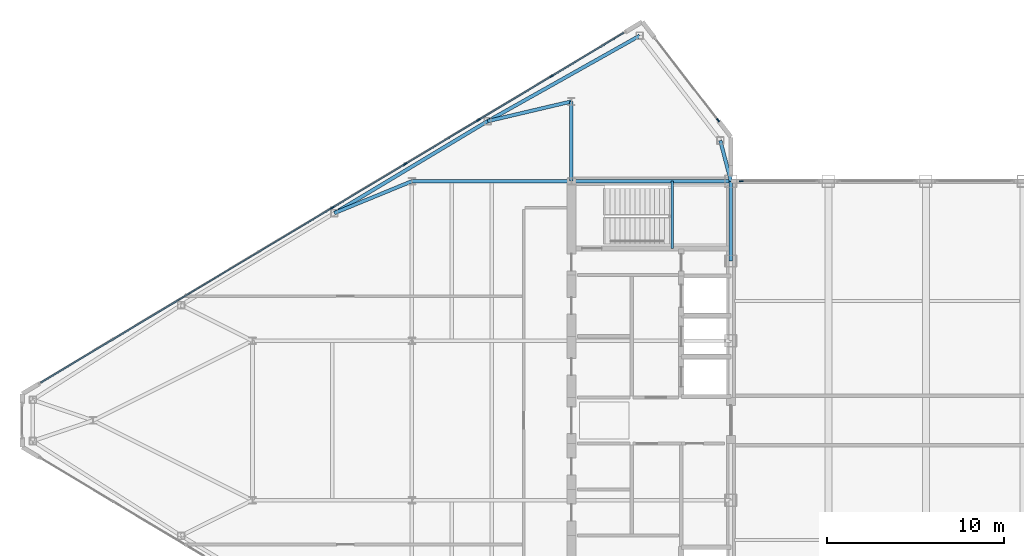
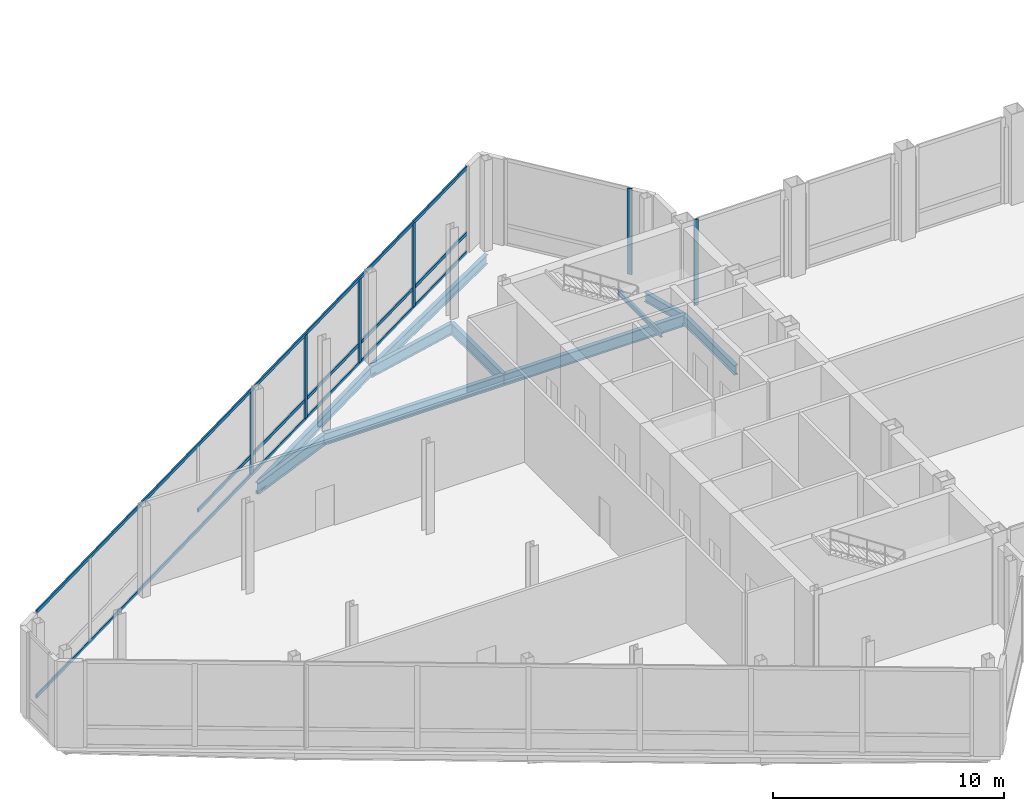
# One storey, part 11 of 29: 13 members, 10 beams, 3 elements without a shape of their own.
"""IFC4 building model written with IfcOpenShell, lengths in metres."""

from ifc_helpers import new_model, si_unit, direction, frame, origin, origin_2d, place, context, subcontext, project, spatial, rectangle, i_section, extrude, source, transform, mapped, material, layer, layer_set, material_profile, profile_set, type_object, type_shapes, element, aggregate, save


model = new_model("IFC4")

# Units and contexts
model_context = context("Model", 3, precision=1e-05, world=origin(), true_north=direction((0.0, 1.0)))
body_context = subcontext(model_context, "Body", "Model", "MODEL_VIEW")
ifc_project = project(units=[si_unit("LENGTHUNIT", "METRE"), si_unit("AREAUNIT", "SQUARE_METRE"), si_unit("VOLUMEUNIT", "CUBIC_METRE"), si_unit("PLANEANGLEUNIT", "RADIAN"), si_unit("MASSUNIT", "GRAM", prefix="KILO")], contexts=[model_context])

# Site, building, storey
site_placement = place(None, origin())
site = spatial("IfcSite", under=ifc_project, at=site_placement, CompositionType="ELEMENT")
building_placement = place(site_placement, origin())
building = spatial("IfcBuilding", under=site, at=building_placement, Name="Seokmaru Belvedere", CompositionType="ELEMENT")
storey_placement = place(building_placement, frame((0.0, 0.0, 269.39990234375)))
storey = spatial("IfcBuildingStorey", under=building, at=storey_placement, Name="L71", CompositionType="ELEMENT", Elevation=269.39990234375)

# Beams
ifc_material_1 = material(Name="Steel SM355 (355 MPa)", Category="steel")
ifc_material_profile_1 = material_profile(ifc_material_1, i_section(OverallWidth=0.199951171875, OverallDepth=0.5, WebThickness=0.010009765625, FlangeThickness=0.01611328125, at=origin_2d()), Name="H-500x200x10x16")
ifc_profile_set_1 = profile_set([ifc_material_profile_1], Name="Steel SM355 (355 MPa)")
beam_type_1 = type_object("IfcBeamType", Name="Perimeter Spandrel Beam H-500", PredefinedType="SPANDREL", material=ifc_profile_set_1)
shared_shape_1 = source(origin(), body_context, "Body", "SweptSolid", [
    extrude(i_section(OverallWidth=0.199951171875, OverallDepth=0.5, WebThickness=0.010009765625, FlangeThickness=0.01611328125, at=origin_2d()), origin(), (0.0, 0.0, 1.0), 4.5),
])
beam_1_placement = place(storey_placement, frame((-27.5, 9.0, -0.510009765625), z_axis=(0.0, 1.0, 0.0), x_axis=(-1.0, 0.0, 0.0)))
element("IfcBeam", 1, at=beam_1_placement, inside=storey, type_object=beam_type_1, Name="L71 W Portal Spine Spandrel 5", PredefinedType="SPANDREL", context=body_context, shape_type="MappedRepresentation", body=[
    mapped(shared_shape_1, transform((0.0, 0.0, 0.0), scale=1.0)),
])
ifc_material_profile_2 = material_profile(ifc_material_1, i_section(OverallWidth=0.199951171875, OverallDepth=0.60009765625, WebThickness=0.010986328125, FlangeThickness=0.01708984375, at=origin_2d()), Name="H-600x200x11x17")
ifc_profile_set_2 = profile_set([ifc_material_profile_2], Name="Steel SM355 (355 MPa)")
beam_type_2 = type_object("IfcBeamType", Name="Primary Floor Girder H-600", PredefinedType="BEAM", material=ifc_profile_set_2)
shared_shape_2 = source(origin(), body_context, "Body", "SweptSolid", [
    extrude(i_section(OverallWidth=0.199951171875, OverallDepth=0.60009765625, WebThickness=0.010986328125, FlangeThickness=0.01708984375, at=origin_2d()), origin(), (0.0, 0.0, 1.0), 9.0),
])
for number, where, z_axis, x_axis, name in (
    (2, (-36.5, 13.5, -0.559814453125), (1.0, 0.0, 0.0), (0.0, 1.0, 0.0), "L71 W Core Tie Girder 4"),
    (3, (-45.5, 13.5, -0.559814453125), (1.0, 0.0, 0.0), (0.0, 1.0, 0.0), "L71 W Wing Primary Girder 4"),
):
    element("IfcBeam", number, at=place(storey_placement, frame(where, z_axis=z_axis, x_axis=x_axis)), inside=storey, type_object=beam_type_2, Name=name, PredefinedType="BEAM", context=body_context, shape_type="MappedRepresentation", body=[
        mapped(shared_shape_2, transform((0.0, 0.0, 0.0), scale=1.0)),
    ])
shared_shape_3 = source(origin(), body_context, "Body", "SweptSolid", [
    extrude(i_section(OverallWidth=0.199951171875, OverallDepth=0.60009765625, WebThickness=0.010986328125, FlangeThickness=0.01708984375, at=origin_2d()), origin(), (0.0, 0.0, 1.0), 4.5),
])
beam_2_placement = place(storey_placement, frame((-36.5, 13.5, -0.559814453125), z_axis=(0.0, 1.0, 0.0), x_axis=(-1.0, 0.0, 0.0)))
element("IfcBeam", 4, at=beam_2_placement, inside=storey, type_object=beam_type_2, Name="L71 W Core Shoulder Girder N", PredefinedType="BEAM", context=body_context, shape_type="MappedRepresentation", body=[
    mapped(shared_shape_3, transform((0.0, 0.0, 0.0), scale=1.0)),
])
shared_shape_4 = source(origin(), body_context, "Body", "SweptSolid", [
    extrude(i_section(OverallWidth=0.199951171875, OverallDepth=0.5, WebThickness=0.010009765625, FlangeThickness=0.01611328125, at=origin_2d()), origin(), (0.0, 0.0, 1.0), 9.842041015625),
])
beam_3_placement = place(storey_placement, frame((-32.649658203125, 21.71044921875, -0.510009765625), z_axis=(-0.871782151818, -0.489893743349, 0.0), x_axis=(0.489893743349, -0.871782151818, 0.0)))
element("IfcBeam", 5, at=beam_3_placement, inside=storey, type_object=beam_type_1, Name="L71 W Faceted Flank Spandrel N-1", PredefinedType="SPANDREL", context=body_context, shape_type="MappedRepresentation", body=[
    mapped(shared_shape_4, transform((0.0, 0.0, 0.0), scale=1.0)),
])
shared_shape_5 = source(origin(), body_context, "Body", "SweptSolid", [
    extrude(i_section(OverallWidth=0.199951171875, OverallDepth=0.5, WebThickness=0.010009765625, FlangeThickness=0.01611328125, at=origin_2d()), origin(), (0.0, 0.0, 1.0), 10.087646484375),
])
beam_4_placement = place(storey_placement, frame((-41.229736328125, 16.888916015625, -0.510009765625), z_axis=(-0.857499332045, -0.514485078056, 0.0), x_axis=(0.514485078056, -0.857499332045, 0.0)))
element("IfcBeam", 6, at=beam_4_placement, inside=storey, type_object=beam_type_1, Name="L71 W Faceted Flank Spandrel N-2", PredefinedType="SPANDREL", context=body_context, shape_type="MappedRepresentation", body=[
    mapped(shared_shape_5, transform((0.0, 0.0, 0.0), scale=1.0)),
])
shared_shape_6 = source(origin(), body_context, "Body", "SweptSolid", [
    extrude(i_section(OverallWidth=0.199951171875, OverallDepth=0.5, WebThickness=0.010009765625, FlangeThickness=0.01611328125, at=origin_2d()), origin(), (0.0, 0.0, 1.0), 2.373046875),
])
type_shapes(beam_type_1, [shared_shape_1, shared_shape_4, shared_shape_5, shared_shape_6])
beam_5_placement = place(storey_placement, frame((-28.10009765625, 15.7958984375, -0.510009765625), z_axis=(0.252882558842, -0.967496982648, 0.0), x_axis=(0.967496982648, 0.252882558842, 0.0)))
element("IfcBeam", 7, at=beam_5_placement, inside=storey, type_object=beam_type_1, Name="L71 W Shoulder Spine Spandrel N", PredefinedType="SPANDREL", context=body_context, shape_type="MappedRepresentation", body=[
    mapped(shared_shape_6, transform((0.0, 0.0, 0.0), scale=1.0)),
])
shared_shape_7 = source(origin(), body_context, "Body", "SweptSolid", [
    extrude(i_section(OverallWidth=0.199951171875, OverallDepth=0.60009765625, WebThickness=0.010986328125, FlangeThickness=0.01708984375, at=origin_2d()), origin(), (0.0, 0.0, 1.0), 4.8583984375),
])
beam_6_placement = place(storey_placement, frame((-41.229736328125, 16.888916015625, -0.559814453125), z_axis=(0.97349948295, 0.228689214211, 0.0), x_axis=(-0.228689214211, 0.97349948295, 0.0)))
element("IfcBeam", 8, at=beam_6_placement, inside=storey, type_object=beam_type_2, Name="L71 W Flank Radial Floor Girder N-1", PredefinedType="BEAM", context=body_context, shape_type="MappedRepresentation", body=[
    mapped(shared_shape_7, transform((0.0, 0.0, 0.0), scale=1.0)),
])
shared_shape_8 = source(origin(), body_context, "Body", "SweptSolid", [
    extrude(i_section(OverallWidth=0.199951171875, OverallDepth=0.60009765625, WebThickness=0.010986328125, FlangeThickness=0.01708984375, at=origin_2d()), origin(), (0.0, 0.0, 1.0), 4.73583984375),
])
type_shapes(beam_type_2, [shared_shape_2, shared_shape_3, shared_shape_7, shared_shape_8])
beam_7_placement = place(storey_placement, frame((-49.8798828125, 11.698974609375, -0.559814453125), z_axis=(0.924860562953, 0.380306375301, 0.0), x_axis=(-0.380306375301, 0.924860562953, 0.0)))
element("IfcBeam", 9, at=beam_7_placement, inside=storey, type_object=beam_type_2, Name="L71 W Flank Radial Floor Girder N-2", PredefinedType="BEAM", context=body_context, shape_type="MappedRepresentation", body=[
    mapped(shared_shape_8, transform((0.0, 0.0, 0.0), scale=1.0)),
])

# Curtain wall, member
ifc_material_2 = material(Name="Bronze Triple Insulating Glass", Category="glass")
ifc_layer = layer(ifc_material_2, 0.219970703125)
ifc_layer_set = layer_set([ifc_layer], Name="Bronze Triple Insulating Glass")
curtain_wall_type = type_object("IfcCurtainWallType", Name="Sky-Gate Bridge Panorama Curtain Wall System CW-6", PredefinedType="NOTDEFINED", material=ifc_layer_set)
curtain_wall_1_placement = place(storey_placement, origin())
curtain_wall_1 = element("IfcCurtainWall", 10, at=curtain_wall_1_placement, inside=storey, type_object=curtain_wall_type, Name="L71 Curtain Wall WF2", PredefinedType="NOTDEFINED")
ifc_material_3 = material(Name="Anodised Bronze Aluminium", Category="aluminium")
ifc_material_profile_3 = material_profile(ifc_material_3, rectangle(XDim=0.080078125, YDim=0.219970703125, at=origin_2d()), Name="CW-M-80x220")
ifc_profile_set_3 = profile_set([ifc_material_profile_3], Name="Anodised Bronze Aluminium")
member_type_1 = type_object("IfcMemberType", Name="Bronze Unitised Mullion 80x220", PredefinedType="MULLION", material=ifc_profile_set_3)
shared_shape_9 = source(origin(), body_context, "Body", "SweptSolid", [
    extrude(rectangle(XDim=0.080078125, YDim=0.219970703125, at=origin_2d()), origin(), (0.0, 0.0, 1.0), 4.5400390625),
])
member_1_placement = place(storey_placement, frame((-28.2255859375, 16.943115234375, 0.0), z_axis=(0.0, 0.0, 1.0), x_axis=(-0.792631353244, -0.609701187349, 0.0)))
member_1 = element("IfcMember", 11, at=member_1_placement, type_object=member_type_1, Name="CW:L71:WF2 Mullion 1", PredefinedType="MULLION", context=body_context, shape_type="MappedRepresentation", body=[
    mapped(shared_shape_9, transform((0.0, 0.0, 0.0), scale=1.0)),
])
aggregate(curtain_wall_1, [member_1])

curtain_wall_2_placement = place(storey_placement, origin())
curtain_wall_2 = element("IfcCurtainWall", 12, at=curtain_wall_2_placement, inside=storey, type_object=curtain_wall_type, Name="L71 Curtain Wall BR_N01", PredefinedType="NOTDEFINED")
member_2_placement = place(storey_placement, frame((-26.909912109375, 13.5, 0.0), z_axis=(0.0, 0.0, 1.0), x_axis=(0.0, -1.0, 0.0)))
member_2 = element("IfcMember", 13, at=member_2_placement, type_object=member_type_1, Name="CW:L71:BR_N01 Mullion 2", PredefinedType="MULLION", context=body_context, shape_type="MappedRepresentation", body=[
    mapped(shared_shape_9, transform((0.0, 0.0, 0.0), scale=1.0)),
])
aggregate(curtain_wall_2, [member_2])

# Curtain wall, members
curtain_wall_3_placement = place(storey_placement, origin())
curtain_wall_3 = element("IfcCurtainWall", 14, at=curtain_wall_3_placement, inside=storey, type_object=curtain_wall_type, Name="L71 Curtain Wall WF3", PredefinedType="NOTDEFINED")
shared_shape_10 = source(origin(), body_context, "Body", "SweptSolid", [
    extrude(rectangle(XDim=0.080078125, YDim=0.219970703125, at=origin_2d()), origin(), (0.0, 0.0, 1.0), 4.389892578125),
])
type_shapes(member_type_1, [shared_shape_9, shared_shape_10])
member_3_placement = place(storey_placement, frame((-37.614501953125, 19.43115234375, 0.0751953125), z_axis=(0.0, 0.0, 1.0), x_axis=(0.514494909364, -0.85749343335, 0.0)))
member_3 = element("IfcMember", 15, at=member_3_placement, type_object=member_type_1, Name="CW:L71:WF3 Mullion 2", PredefinedType="MULLION", context=body_context, shape_type="MappedRepresentation", body=[
    mapped(shared_shape_10, transform((0.0, 0.0, 0.0), scale=1.0)),
])
member_4_placement = place(storey_placement, frame((-41.7431640625, 16.9541015625, 0.0751953125), z_axis=(0.0, 0.0, 1.0), x_axis=(0.514494909364, -0.85749343335, 0.0)))
member_4 = element("IfcMember", 16, at=member_4_placement, type_object=member_type_1, Name="CW:L71:WF3 Mullion 3", PredefinedType="MULLION", context=body_context, shape_type="MappedRepresentation", body=[
    mapped(shared_shape_10, transform((0.0, 0.0, 0.0), scale=1.0)),
])
member_5_placement = place(storey_placement, frame((-45.87158203125, 14.47705078125, 0.0751953125), z_axis=(0.0, 0.0, 1.0), x_axis=(0.514494909364, -0.85749343335, 0.0)))
member_5 = element("IfcMember", 17, at=member_5_placement, type_object=member_type_1, Name="CW:L71:WF3 Mullion 4", PredefinedType="MULLION", context=body_context, shape_type="MappedRepresentation", body=[
    mapped(shared_shape_10, transform((0.0, 0.0, 0.0), scale=1.0)),
])
member_6_placement = place(storey_placement, frame((-50.0, 12.0, 0.0751953125), z_axis=(0.0, 0.0, 1.0), x_axis=(0.514494909364, -0.85749343335, 0.0)))
member_6 = element("IfcMember", 18, at=member_6_placement, type_object=member_type_1, Name="CW:L71:WF3 Mullion 5", PredefinedType="MULLION", context=body_context, shape_type="MappedRepresentation", body=[
    mapped(shared_shape_10, transform((0.0, 0.0, 0.0), scale=1.0)),
])
ifc_material_profile_4 = material_profile(ifc_material_3, rectangle(XDim=0.074951171875, YDim=0.179931640625, at=origin_2d()), Name="CW-T-75x180")
ifc_profile_set_4 = profile_set([ifc_material_profile_4], Name="Anodised Bronze Aluminium")
member_type_2 = type_object("IfcMemberType", Name="Bronze Unitised Transom 75x180", PredefinedType="USERDEFINED", material=ifc_profile_set_4)
shared_shape_11 = source(origin(), body_context, "Body", "SweptSolid", [
    extrude(rectangle(XDim=0.074951171875, YDim=0.179931640625, at=origin_2d()), origin(), (0.0, 0.0, 1.0), 38.356689453125),
])
member_7_placement = place(storey_placement, frame((-33.5546875, 21.8671875, 0.03759765625), z_axis=(-0.857492925713, -0.514495755428, 0.0), x_axis=(0.514495755428, -0.857492925713, 0.0)))
member_7 = element("IfcMember", 19, at=member_7_placement, type_object=member_type_2, Name="CW:L71:WF3 Continuous Transom 1", ObjectType="TRANSOM", PredefinedType="USERDEFINED", context=body_context, shape_type="MappedRepresentation", body=[
    mapped(shared_shape_11, transform((0.0, 0.0, 0.0), scale=1.0)),
])
member_8_placement = place(storey_placement, frame((-33.5546875, 21.8671875, 4.502685546875), z_axis=(-0.857492925713, -0.514495755428, 0.0), x_axis=(0.514495755428, -0.857492925713, 0.0)))
member_8 = element("IfcMember", 20, at=member_8_placement, type_object=member_type_2, Name="CW:L71:WF3 Continuous Transom 2", ObjectType="TRANSOM", PredefinedType="USERDEFINED", context=body_context, shape_type="MappedRepresentation", body=[
    mapped(shared_shape_11, transform((0.0, 0.0, 0.0), scale=1.0)),
])
shared_shape_12 = source(origin(), body_context, "Body", "SweptSolid", [
    extrude(rectangle(XDim=0.074951171875, YDim=0.179931640625, at=origin_2d()), origin(), (0.0, 0.0, 1.0), 4.694580078125),
])
member_9_placement = place(storey_placement, frame((-33.5546875, 21.8671875, 1.050048828125), z_axis=(-0.85750210284, -0.514480459906, 0.0), x_axis=(0.514480459906, -0.85750210284, 0.0)))
member_9 = element("IfcMember", 21, at=member_9_placement, type_object=member_type_2, Name="CW:L71:WF3 Spandrel Transom 1", ObjectType="TRANSOM", PredefinedType="USERDEFINED", context=body_context, shape_type="MappedRepresentation", body=[
    mapped(shared_shape_12, transform((0.0, 0.0, 0.0), scale=1.0)),
])
shared_shape_13 = source(origin(), body_context, "Body", "SweptSolid", [
    extrude(rectangle(XDim=0.074951171875, YDim=0.179931640625, at=origin_2d()), origin(), (0.0, 0.0, 1.0), 4.734619140625),
])
member_10_placement = place(storey_placement, frame((-37.64892578125, 19.41064453125, 1.050048828125), z_axis=(-0.857479275774, -0.514518504641, 0.0), x_axis=(0.514518504641, -0.857479275774, 0.0)))
member_10 = element("IfcMember", 22, at=member_10_placement, type_object=member_type_2, Name="CW:L71:WF3 Spandrel Transom 2", ObjectType="TRANSOM", PredefinedType="USERDEFINED", context=body_context, shape_type="MappedRepresentation", body=[
    mapped(shared_shape_13, transform((0.0, 0.0, 0.0), scale=1.0)),
])
shared_shape_14 = source(origin(), body_context, "Body", "SweptSolid", [
    extrude(rectangle(XDim=0.074951171875, YDim=0.179931640625, at=origin_2d()), origin(), (0.0, 0.0, 1.0), 4.734375),
])
member_11_placement = place(storey_placement, frame((-41.77734375, 16.93359375, 1.050048828125), z_axis=(-0.857502025578, -0.514480588682, 0.0), x_axis=(0.514480588682, -0.857502025578, 0.0)))
member_11 = element("IfcMember", 23, at=member_11_placement, type_object=member_type_2, Name="CW:L71:WF3 Spandrel Transom 3", ObjectType="TRANSOM", PredefinedType="USERDEFINED", context=body_context, shape_type="MappedRepresentation", body=[
    mapped(shared_shape_14, transform((0.0, 0.0, 0.0), scale=1.0)),
])
shared_shape_15 = source(origin(), body_context, "Body", "SweptSolid", [
    extrude(rectangle(XDim=0.074951171875, YDim=0.179931640625, at=origin_2d()), origin(), (0.0, 0.0, 1.0), 4.73486328125),
])
type_shapes(member_type_2, [shared_shape_11, shared_shape_12, shared_shape_13, shared_shape_14, shared_shape_15])
member_12_placement = place(storey_placement, frame((-45.90576171875, 14.45654296875, 1.050048828125), z_axis=(-0.857492925713, -0.514495755428, 0.0), x_axis=(0.514495755428, -0.857492925713, 0.0)))
member_12 = element("IfcMember", 24, at=member_12_placement, type_object=member_type_2, Name="CW:L71:WF3 Spandrel Transom 4", ObjectType="TRANSOM", PredefinedType="USERDEFINED", context=body_context, shape_type="MappedRepresentation", body=[
    mapped(shared_shape_15, transform((0.0, 0.0, 0.0), scale=1.0)),
])
member_13_placement = place(storey_placement, frame((-50.0341796875, 11.9794921875, 1.050048828125), z_axis=(-0.857492925713, -0.514495755428, 0.0), x_axis=(0.514495755428, -0.857492925713, 0.0)))
member_13 = element("IfcMember", 25, at=member_13_placement, type_object=member_type_2, Name="CW:L71:WF3 Spandrel Transom 5", ObjectType="TRANSOM", PredefinedType="USERDEFINED", context=body_context, shape_type="MappedRepresentation", body=[
    mapped(shared_shape_15, transform((0.0, 0.0, 0.0), scale=1.0)),
])
aggregate(curtain_wall_3, [member_3, member_4, member_5, member_6, member_7, member_8, member_9, member_10, member_11, member_12, member_13])

# Beam
ifc_material_profile_5 = material_profile(ifc_material_1, i_section(OverallWidth=0.125, OverallDepth=0.25, WebThickness=0.006103515625, FlangeThickness=0.009033203125, at=origin_2d()), Name="H-250x125x6x9")
ifc_profile_set_5 = profile_set([ifc_material_profile_5], Name="Steel SM355 (355 MPa)")
beam_type_3 = type_object("IfcBeamType", Name="Stair Mid-Landing Support Beam H-250", PredefinedType="JOIST", material=ifc_profile_set_5)
shared_shape_16 = source(origin(), body_context, "Body", "SweptSolid", [
    extrude(i_section(OverallWidth=0.125, OverallDepth=0.25, WebThickness=0.006103515625, FlangeThickness=0.009033203125, at=origin_2d()), origin(), (0.0, 0.0, 1.0), 3.800048828125),
])
type_shapes(beam_type_3, [shared_shape_16])
beam_8_placement = place(storey_placement, frame((-30.81005859375, 9.699951171875, 2.0751953125), z_axis=(0.0, 1.0, 0.0), x_axis=(-1.0, 0.0, 0.0)))
element("IfcBeam", 26, at=beam_8_placement, inside=storey, type_object=beam_type_3, Name="L71 Stair ST-W2 Mid-Landing Support Beam 1", PredefinedType="JOIST", context=body_context, shape_type="MappedRepresentation", body=[
    mapped(shared_shape_16, transform((0.0, 0.0, 0.0), scale=1.0)),
])

save(model, "model.ifc")
